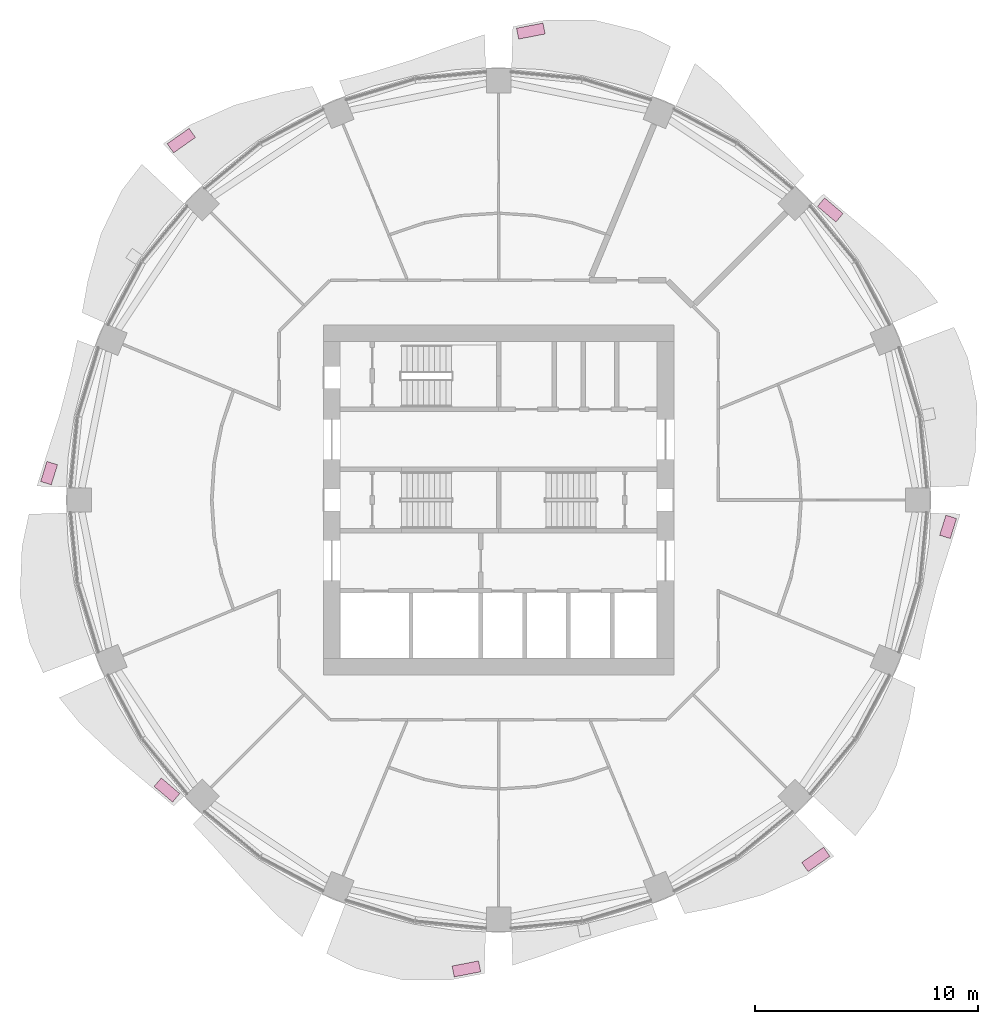
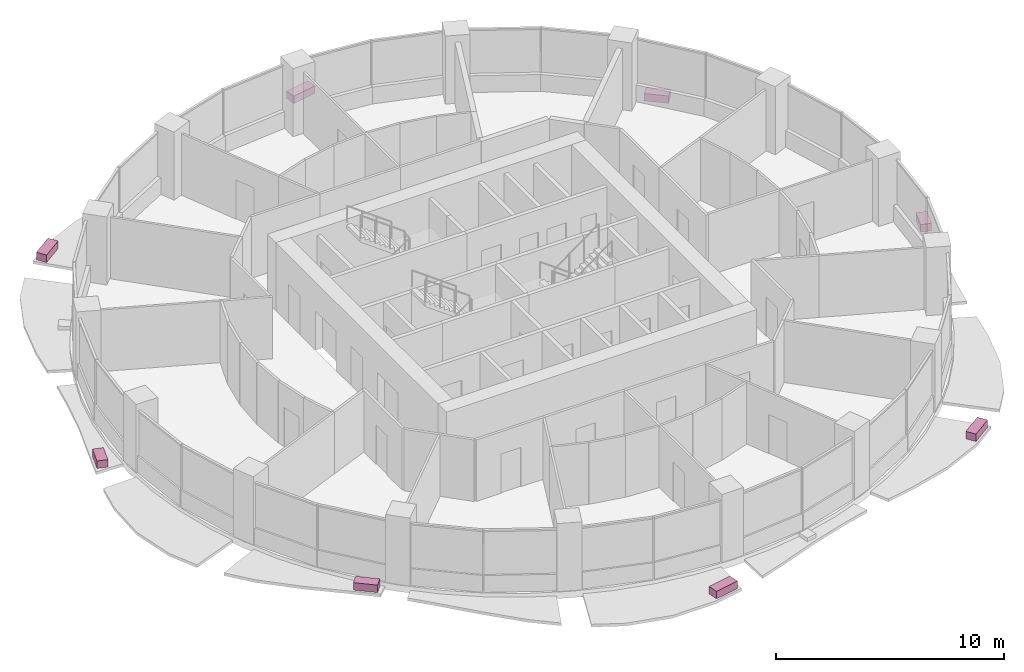
# One storey, part 15 of 15: 8 furniture elements.
"""IFC4 building model written with IfcOpenShell, lengths in metres."""

import ifcopenshell
import ifcopenshell.guid

model = None  # the IFC model being written
_history = None  # IfcOwnerHistory: only IFC2X3 demands one
_inside = {}  # id of a spatial element -> (the spatial element, [elements in it])
_under = {}  # id of a project, library or spatial element -> (it, [spatial elements below it])
_declared = {}  # id of a project -> (the project, [libraries it declares])
_typed = {}  # id of a type object -> (the type object, [elements of that type])
_made_of = {}  # id of a material, layer set ... -> (it, [elements and type objects made of it])


def new_model(schema):
    """Start an empty IFC model of exactly this schema.

    Asked for "IFC4X3", IfcOpenShell would pick the latest addendum, in which some entities
    have other attributes; the version numbers below select the first issue.
    IFC2X3 requires an IfcOwnerHistory on every rooted entity: one is made here for all.
    """
    global model, _history
    if schema == "IFC4X3":
        model = ifcopenshell.file(schema_version=(4, 3, 0, 0))
    else:
        model = ifcopenshell.file(schema=schema)
    _inside.clear()
    _under.clear()
    _declared.clear()
    _typed.clear()
    _made_of.clear()
    _history = None
    if model.schema == "IFC2X3":
        org = make("IfcOrganization", Name="unknown")
        user = make(
            "IfcPersonAndOrganization",
            ThePerson=make("IfcPerson", FamilyName="unknown"),
            TheOrganization=org,
        )
        app = make(
            "IfcApplication",
            ApplicationDeveloper=org,
            Version="unknown",
            ApplicationFullName="unknown",
            ApplicationIdentifier="unknown",
        )
        _history = make(
            "IfcOwnerHistory",
            OwningUser=user,
            OwningApplication=app,
            ChangeAction="ADDED",
            CreationDate=0,
        )
    return model


def make(cls, **values):
    """One entity of the class cls with the attributes given. An attribute that is None is left unset."""
    return model.create_entity(
        cls, **{name: value for name, value in values.items() if value is not None}
    )


def rooted(cls, **values):
    """An entity with a GlobalId (a new one), such as an element, a storey or a relation."""
    return make(cls, GlobalId=ifcopenshell.guid.new(), OwnerHistory=_history, **values)


def si_unit(unit_type, name, prefix=None):
    """IfcSIUnit, for example si_unit("LENGTHUNIT", "METRE", prefix="MILLI")."""
    return make("IfcSIUnit", UnitType=unit_type, Prefix=prefix, Name=name)


def assignment(units):
    """IfcUnitAssignment: the units of a project."""
    return None if units is None else make("IfcUnitAssignment", Units=units)


def point(xyz):
    """IfcCartesianPoint."""
    return None if xyz is None else make("IfcCartesianPoint", Coordinates=xyz)


def direction(xyz):
    """IfcDirection."""
    return None if xyz is None else make("IfcDirection", DirectionRatios=xyz)


def frame(location, z_axis=None, x_axis=None):
    """IfcAxis2Placement3D, a coordinate frame: its origin and axes. An axis left out is left unset."""
    return make(
        "IfcAxis2Placement3D",
        Location=point(location),
        Axis=direction(z_axis),
        RefDirection=direction(x_axis),
    )


def frame_2d(location, x_axis=None):
    """IfcAxis2Placement2D, a coordinate frame in the plane: its origin and x axis."""
    return make(
        "IfcAxis2Placement2D", Location=point(location), RefDirection=direction(x_axis)
    )


def origin():
    """The frame at (0, 0, 0) with its axes left unset."""
    return frame((0.0, 0.0, 0.0))


def origin_2d():
    """The frame at (0, 0) in the plane with its x axis left unset."""
    return frame_2d((0.0, 0.0))


def place(relative_to, where):
    """IfcLocalPlacement: puts the frame where relative to a parent placement (None: the world)."""
    return make(
        "IfcLocalPlacement", PlacementRelTo=relative_to, RelativePlacement=where
    )


def context(
    kind, dimensions, precision=None, world=None, true_north=None, identifier=None
):
    """IfcGeometricRepresentationContext, for example the 3D "Model" context."""
    return make(
        "IfcGeometricRepresentationContext",
        ContextIdentifier=identifier,
        ContextType=kind,
        CoordinateSpaceDimension=dimensions,
        Precision=precision,
        WorldCoordinateSystem=world,
        TrueNorth=true_north,
    )


def subcontext(parent, identifier, kind, view, scale=None):
    """IfcGeometricRepresentationSubContext, for example "Body" below "Model"."""
    return make(
        "IfcGeometricRepresentationSubContext",
        ContextIdentifier=identifier,
        ContextType=kind,
        ParentContext=parent,
        TargetScale=scale,
        TargetView=view,
    )


def project(units=None, contexts=None):
    """IfcProject with its units and contexts."""
    return rooted(
        "IfcProject",
        Name="project",
        RepresentationContexts=contexts,
        UnitsInContext=assignment(units),
    )


def spatial(cls, under=None, at=None, **own):
    """A site, building, storey or space (cls), placed at a placement, below another one or the project."""
    s = rooted(cls, ObjectPlacement=at, **own)
    if under is not None:
        _under.setdefault(under.id(), (under, []))[1].append(s)
    return s


def profile(cls, at=None, kind="AREA", **sizes):
    """A parametric profile (cls). Its sizes go by their IFC names, for example OverallWidth=200.0."""
    return make(cls, ProfileType=kind, Position=at, **sizes)


def rectangle(**sizes):
    """IfcRectangleProfileDef."""
    return profile("IfcRectangleProfileDef", **sizes)


def extrude(swept, where, along, depth):
    """IfcExtrudedAreaSolid: the profile swept, set in the frame where, extruded along a direction by depth."""
    return make(
        "IfcExtrudedAreaSolid",
        SweptArea=swept,
        Position=where,
        ExtrudedDirection=direction(along),
        Depth=depth,
    )


def shape(context_of_items, identifier, shape_type, items):
    """IfcShapeRepresentation: the items that make up one representation, for example the "Body"."""
    return make(
        "IfcShapeRepresentation",
        ContextOfItems=context_of_items,
        RepresentationIdentifier=identifier,
        RepresentationType=shape_type,
        Items=items,
    )


def material(Name=None, Category=None):
    """IfcMaterial."""
    return make("IfcMaterial", Name=Name, Category=Category)


def made_of(thing, what):
    """Note that an element or type object is made of a material, layer set ...; save() writes the relation."""
    if what is not None:
        _made_of.setdefault(what.id(), (what, []))[1].append(thing)
    return thing


def type_object(cls, material=None, **own):
    """A type object (cls), such as IfcWallType, which elements share."""
    return made_of(rooted(cls, **own), material)


def element(
    cls,
    number,
    at=None,
    inside=None,
    cuts=None,
    type_object=None,
    material=None,
    context=None,
    identifier="Body",
    shape_type=None,
    held_by="IfcProductDefinitionShape",
    body=None,
    shapes=None,
    **own,
):
    """One element of the class cls, such as IfcWall. Its Tag is "e" and its number.

    at: its placement. inside: the storey or other place that contains it. cuts: it is an
    opening in that element (IfcRelVoidsElement). A single representation is given by context,
    identifier, shape_type and body (its items); several are given by shapes. held_by: the class
    of the entity that holds the representations. save() writes the other relations.
    """
    e = rooted(cls, Tag="e%d" % number, ObjectPlacement=at, **own)
    if body is not None:
        shapes = [shape(context, identifier, shape_type, body)]
    if shapes is not None:
        e.Representation = make(held_by, Representations=shapes)
    if inside is not None:
        _inside.setdefault(inside.id(), (inside, []))[1].append(e)
    if cuts is not None:
        rooted(
            "IfcRelVoidsElement", RelatingBuildingElement=cuts, RelatedOpeningElement=e
        )
    if type_object is not None:
        _typed.setdefault(type_object.id(), (type_object, []))[1].append(e)
    return made_of(e, material)


def aggregate(whole, parts):
    """IfcRelAggregates: a whole, such as a stair, and the parts it consists of."""
    return rooted("IfcRelAggregates", RelatingObject=whole, RelatedObjects=parts)


def save(model, path):
    """Write the relations noted so far, then the file.

    IfcRelAggregates (storeys below a building ...), IfcRelContainedInSpatialStructure (elements
    in a storey), IfcRelDefinesByType, IfcRelAssociatesMaterial and IfcRelDeclares: one each for
    every whole, place, type object, material and project.
    """
    for whole, parts in _under.values():
        aggregate(whole, parts)
    for where, things in _inside.values():
        rooted(
            "IfcRelContainedInSpatialStructure",
            RelatedElements=things,
            RelatingStructure=where,
        )
    for kind, things in _typed.values():
        rooted("IfcRelDefinesByType", RelatedObjects=things, RelatingType=kind)
    for what, things in _made_of.values():
        rooted("IfcRelAssociatesMaterial", RelatedObjects=things, RelatingMaterial=what)
    for by, libraries in _declared.values():
        rooted("IfcRelDeclares", RelatingContext=by, RelatedDefinitions=libraries)
    model.write(path)


model = new_model("IFC4")

# Units and contexts
model_context = context("Model", 3, precision=1e-05, world=origin(), true_north=direction((0.0, 1.0)))
body_context = subcontext(model_context, "Body", "Model", "MODEL_VIEW")
ifc_project = project(units=[si_unit("LENGTHUNIT", "METRE"), si_unit("AREAUNIT", "SQUARE_METRE"), si_unit("VOLUMEUNIT", "CUBIC_METRE"), si_unit("PLANEANGLEUNIT", "RADIAN"), si_unit("MASSUNIT", "GRAM", prefix="KILO")], contexts=[model_context])

# Site, building, storey
site_placement = place(None, origin())
site = spatial("IfcSite", under=ifc_project, at=site_placement, CompositionType="ELEMENT")
building_placement = place(site_placement, origin())
building = spatial("IfcBuilding", under=site, at=building_placement, Name="Polderwave Tower", CompositionType="ELEMENT")
storey_placement = place(building_placement, frame((0.0, 0.0, 72.75)))
storey = spatial("IfcBuildingStorey", under=building, at=storey_placement, Name="L18", CompositionType="ELEMENT", Elevation=72.75)

# Furniture
ifc_material = material(Name="Terracotta", Category="masonry")
furniture_type = type_object("IfcFurnitureType", Name="Terracotta planting trough", AssemblyPlace="NOTDEFINED", PredefinedType="USERDEFINED", material=ifc_material)
furniture_1_placement = place(storey_placement, frame((14.904296875, 13.032958984375, -0.199951171875), z_axis=(0.0, 0.0, 1.0), x_axis=(-0.76321104308, 0.646149289035, 0.0)))
element("IfcFurniture", 1, at=furniture_1_placement, inside=storey, type_object=furniture_type, Name="Planting trough L18 2", ObjectType="PLANTER", PredefinedType="USERDEFINED", context=body_context, shape_type="SweptSolid", body=[
    extrude(rectangle(XDim=1.087646484375, YDim=0.5, at=origin_2d()), origin(), (0.0, 0.0, 1.0), 0.39990234375),
])
furniture_2_placement = place(storey_placement, frame((1.447998046875, 21.072021484375, -0.199951171875), z_axis=(0.0, 0.0, 1.0), x_axis=(-0.981775083277, -0.19004653603, 0.0)))
element("IfcFurniture", 2, at=furniture_2_placement, inside=storey, type_object=furniture_type, Name="Planting trough L18 4", ObjectType="PLANTER", PredefinedType="USERDEFINED", context=body_context, shape_type="SweptSolid", body=[
    extrude(rectangle(XDim=1.211181640625, YDim=0.5, at=origin_2d()), origin(), (0.0, 0.0, 1.0), 0.39990234375),
])
furniture_3_placement = place(storey_placement, frame((-14.256591796875, 16.15087890625, -0.199951171875), z_axis=(0.0, 0.0, 1.0), x_axis=(-0.818422597211, -0.574616787411, 0.0)))
element("IfcFurniture", 3, at=furniture_3_placement, inside=storey, type_object=furniture_type, Name="Planting trough L18 6", ObjectType="PLANTER", PredefinedType="USERDEFINED", context=body_context, shape_type="SweptSolid", body=[
    extrude(rectangle(XDim=1.200439453125, YDim=0.5, at=origin_2d()), origin(), (0.0, 0.0, 1.0), 0.39990234375),
])
furniture_4_placement = place(storey_placement, frame((-20.19970703125, 1.2080078125, -0.199951171875), z_axis=(0.0, 0.0, 1.0), x_axis=(-0.298694356138, -0.95434882596, 0.0)))
element("IfcFurniture", 4, at=furniture_4_placement, inside=storey, type_object=furniture_type, Name="Planting trough L18 8", ObjectType="PLANTER", PredefinedType="USERDEFINED", context=body_context, shape_type="SweptSolid", body=[
    extrude(rectangle(XDim=0.943115234375, YDim=0.5, at=origin_2d()), origin(), (0.0, 0.0, 1.0), 0.39990234375),
])
furniture_5_placement = place(storey_placement, frame((-14.904296875, -13.032958984375, -0.199951171875), z_axis=(0.0, 0.0, 1.0), x_axis=(0.76321104308, -0.646149289035, 0.0)))
element("IfcFurniture", 5, at=furniture_5_placement, inside=storey, type_object=furniture_type, Name="Planting trough L18 10", ObjectType="PLANTER", PredefinedType="USERDEFINED", context=body_context, shape_type="SweptSolid", body=[
    extrude(rectangle(XDim=1.087646484375, YDim=0.5, at=origin_2d()), origin(), (0.0, 0.0, 1.0), 0.39990234375),
])
furniture_6_placement = place(storey_placement, frame((-1.447998046875, -21.072021484375, -0.199951171875), z_axis=(0.0, 0.0, 1.0), x_axis=(0.981775083277, 0.19004653603, 0.0)))
element("IfcFurniture", 6, at=furniture_6_placement, inside=storey, type_object=furniture_type, Name="Planting trough L18 12", ObjectType="PLANTER", PredefinedType="USERDEFINED", context=body_context, shape_type="SweptSolid", body=[
    extrude(rectangle(XDim=1.211181640625, YDim=0.5, at=origin_2d()), origin(), (0.0, 0.0, 1.0), 0.39990234375),
])
furniture_7_placement = place(storey_placement, frame((14.256591796875, -16.15087890625, -0.199951171875), z_axis=(0.0, 0.0, 1.0), x_axis=(0.818422597211, 0.574616787411, 0.0)))
element("IfcFurniture", 7, at=furniture_7_placement, inside=storey, type_object=furniture_type, Name="Planting trough L18 14", ObjectType="PLANTER", PredefinedType="USERDEFINED", context=body_context, shape_type="SweptSolid", body=[
    extrude(rectangle(XDim=1.200439453125, YDim=0.5, at=origin_2d()), origin(), (0.0, 0.0, 1.0), 0.39990234375),
])
furniture_8_placement = place(storey_placement, frame((20.19970703125, -1.2080078125, -0.199951171875), z_axis=(0.0, 0.0, 1.0), x_axis=(0.298694356138, 0.95434882596, 0.0)))
element("IfcFurniture", 8, at=furniture_8_placement, inside=storey, type_object=furniture_type, Name="Planting trough L18 16", ObjectType="PLANTER", PredefinedType="USERDEFINED", context=body_context, shape_type="SweptSolid", body=[
    extrude(rectangle(XDim=0.943115234375, YDim=0.5, at=origin_2d()), origin(), (0.0, 0.0, 1.0), 0.39990234375),
])

save(model, "model.ifc")
